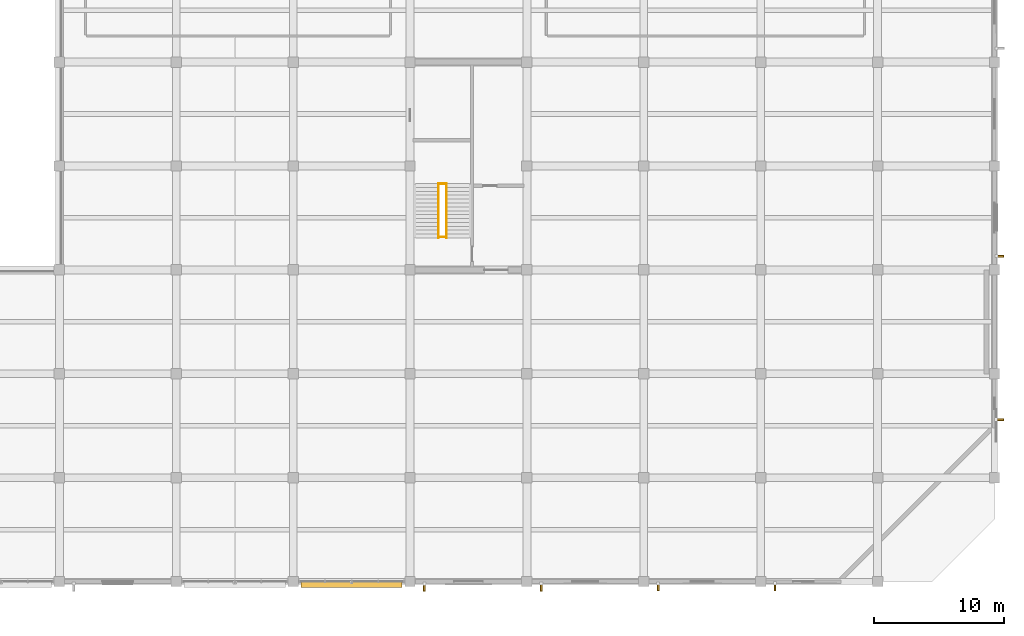
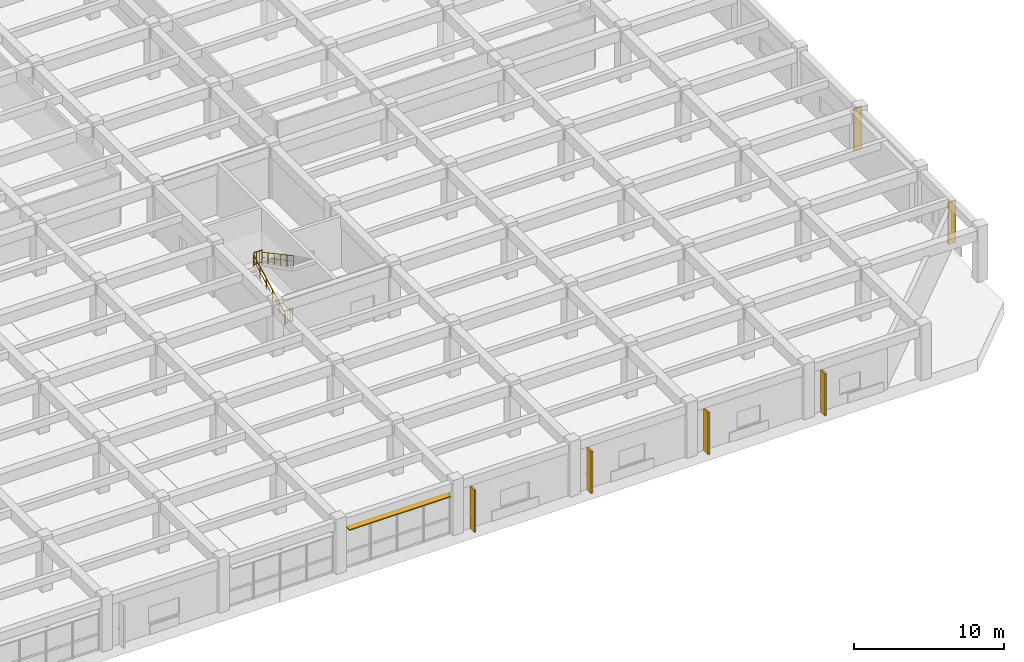
# One storey, part 48 of 50: 7 shading devices, 4 railings.
"""IFC4 building model written with IfcOpenShell, lengths in metres."""

from ifc_helpers import new_model, si_unit, direction, frame, frame_2d, origin, origin_2d, place, context, subcontext, project, spatial, rectangle, circle, extrude, material, layer, layer_set, type_object, element, save


model = new_model("IFC4")

# Units and contexts
model_context = context("Model", 3, precision=1e-05, world=origin(), true_north=direction((0.0, 1.0)))
body_context = subcontext(model_context, "Body", "Model", "MODEL_VIEW")
ifc_project = project(units=[si_unit("LENGTHUNIT", "METRE"), si_unit("AREAUNIT", "SQUARE_METRE"), si_unit("VOLUMEUNIT", "CUBIC_METRE"), si_unit("PLANEANGLEUNIT", "RADIAN"), si_unit("MASSUNIT", "GRAM", prefix="KILO")], contexts=[model_context])

# Site, building, storey
site_placement = place(None, origin())
site = spatial("IfcSite", under=ifc_project, at=site_placement, CompositionType="ELEMENT")
building_placement = place(site_placement, origin())
building = spatial("IfcBuilding", under=site, at=building_placement, Name="Zaverband Oceanarium and Marine Research Institute", CompositionType="ELEMENT")
storey_placement = place(building_placement, frame((0.0, 0.0, 4.5)))
storey = spatial("IfcBuildingStorey", under=building, at=storey_placement, Name="L01", CompositionType="ELEMENT", Elevation=4.5)

# Railings
ifc_material_1 = material(Name="Steel S355", Category="steel")
ifc_layer_1 = layer(ifc_material_1, 0.06005859375, Name="Steel S355")
ifc_layer_set_1 = layer_set([ifc_layer_1], Name="Steel S355")
railing_type_1 = type_object("IfcRailingType", Name="GRD-1100", PredefinedType="BALUSTRADE", material=ifc_layer_set_1)
for number, where, name in (
    (1, (137.18994140625, 30.6298828125, 2.25), "1100 mm steel post-and-baluster safety guard GRD-1100"),
    (2, (137.18994140625, 26.530029296875, 0.0), "1100 mm steel post-and-baluster safety guard GRD-1100"),
):
    element("IfcRailing", number, at=place(storey_placement, frame(where)), inside=storey, type_object=railing_type_1, Name=name, PredefinedType="BALUSTRADE", context=body_context, shape_type="SweptSolid", body=[
        extrude(circle(Radius=0.02392578125, at=origin_2d()), frame((0.0, 0.0, 1.076171875), z_axis=(1.0, 0.0, 0.0), x_axis=(0.0, 1.0, 0.0)), (0.0, 0.0, 1.0), 0.6201171875),
        extrude(circle(Radius=0.009033203125, at=origin_2d()), frame((0.0, 0.0, 0.10009765625), z_axis=(1.0, 0.0, 0.0), x_axis=(0.0, 1.0, 0.0)), (0.0, 0.0, 1.0), 0.6201171875),
        extrude(circle(Radius=0.009033203125, at=origin_2d()), frame((0.206787109375, 0.0, 0.10009765625)), (0.0, 0.0, 1.0), 0.951904296875),
        extrude(circle(Radius=0.009033203125, at=origin_2d()), frame((0.413330078125, 0.0, 0.10009765625)), (0.0, 0.0, 1.0), 0.951904296875),
        extrude(circle(Radius=0.02099609375, at=origin_2d()), origin(), (0.0, 0.0, 1.0), 1.052001953125),
        extrude(circle(Radius=0.02099609375, at=origin_2d()), frame((0.6201171875, 0.0, 0.0)), (0.0, 0.0, 1.0), 1.052001953125),
    ])
ifc_layer_2 = layer(ifc_material_1, 0.050048828125, Name="Steel S355")
ifc_layer_set_2 = layer_set([ifc_layer_2], Name="Steel S355")
railing_type_2 = type_object("IfcRailingType", Name="HR-920", PredefinedType="HANDRAIL", material=ifc_layer_set_2)
railing_1_placement = place(storey_placement, frame((137.18994140625, 26.449951171875, 0.0)))
element("IfcRailing", 3, at=railing_1_placement, inside=storey, type_object=railing_type_2, Name="920 mm continuous tubular stair and ramp handrail HR-920", PredefinedType="HANDRAIL", context=body_context, shape_type="SweptSolid", body=[
    extrude(circle(Radius=0.02392578125, at=origin_2d()), frame((0.0, 0.0, 0.89599609375), z_axis=(0.0, 0.881477684796, 0.472225678258), x_axis=(-1.0, 0.0, 0.0)), (0.0, 0.0, 1.0), 4.7646484375),
    extrude(circle(Radius=0.009033203125, at=origin_2d()), frame((0.0, 0.0, 0.4599609375), z_axis=(0.0, 0.881477684796, 0.472225678258), x_axis=(-1.0, 0.0, 0.0)), (0.0, 0.0, 1.0), 4.7646484375),
    extrude(circle(Radius=0.02099609375, at=origin_2d()), origin(), (0.0, 0.0, 1.0), 0.871826171875),
    extrude(circle(Radius=0.02099609375, at=origin_2d()), frame((0.0, 0.840087890625, 0.449951171875)), (0.0, 0.0, 1.0), 0.871826171875),
    extrude(circle(Radius=0.02099609375, at=origin_2d()), frame((0.0, 1.679931640625, 0.89990234375)), (0.0, 0.0, 1.0), 0.871826171875),
    extrude(circle(Radius=0.02099609375, at=origin_2d()), frame((0.0, 2.52001953125, 1.35009765625)), (0.0, 0.0, 1.0), 0.871826171875),
    extrude(circle(Radius=0.02099609375, at=origin_2d()), frame((0.0, 3.35986328125, 1.800048828125)), (0.0, 0.0, 1.0), 0.871826171875),
    extrude(circle(Radius=0.02099609375, at=origin_2d()), frame((0.0, 4.199951171875, 2.25)), (0.0, 0.0, 1.0), 0.871826171875),
])
railing_2_placement = place(storey_placement, frame((137.81005859375, 30.64990234375, 2.25)))
element("IfcRailing", 4, at=railing_2_placement, inside=storey, type_object=railing_type_2, Name="920 mm continuous tubular stair and ramp handrail HR-920", PredefinedType="HANDRAIL", context=body_context, shape_type="SweptSolid", body=[
    extrude(circle(Radius=0.02392578125, at=origin_2d()), frame((0.0, 0.0, 0.89599609375), z_axis=(0.0, -0.881477684796, 0.472225678258), x_axis=(1.0, 0.0, 0.0)), (0.0, 0.0, 1.0), 4.7646484375),
    extrude(circle(Radius=0.009033203125, at=origin_2d()), frame((0.0, 0.0, 0.4599609375), z_axis=(0.0, -0.881477684796, 0.472225678258), x_axis=(1.0, 0.0, 0.0)), (0.0, 0.0, 1.0), 4.7646484375),
    extrude(circle(Radius=0.02099609375, at=origin_2d()), origin(), (0.0, 0.0, 1.0), 0.871826171875),
    extrude(circle(Radius=0.02099609375, at=origin_2d()), frame((0.0, -0.840087890625, 0.449951171875)), (0.0, 0.0, 1.0), 0.871826171875),
    extrude(circle(Radius=0.02099609375, at=origin_2d()), frame((0.0, -1.679931640625, 0.89990234375)), (0.0, 0.0, 1.0), 0.871826171875),
    extrude(circle(Radius=0.02099609375, at=origin_2d()), frame((0.0, -2.52001953125, 1.35009765625)), (0.0, 0.0, 1.0), 0.871826171875),
    extrude(circle(Radius=0.02099609375, at=origin_2d()), frame((0.0, -3.35986328125, 1.800048828125)), (0.0, 0.0, 1.0), 0.871826171875),
    extrude(circle(Radius=0.02099609375, at=origin_2d()), frame((0.0, -4.199951171875, 2.25)), (0.0, 0.0, 1.0), 0.871826171875),
])

# Shading devices
ifc_material_2 = material(Name="Concrete C40/50 precast brise-soleil", Category="concrete")
ifc_layer_3 = layer(ifc_material_2, 0.139892578125, Name="Concrete C40/50 precast brise-soleil")
ifc_layer_set_3 = layer_set([ifc_layer_3], Name="Concrete C40/50 precast brise-soleil")
shading_device_type_1 = type_object("IfcShadingDeviceType", Name="SHD-FIN-600", PredefinedType="JALOUSIE", material=ifc_layer_set_3)
for number, where, z_axis, x_axis, name in (
    (5, (136.10498046875, -0.14990234375, 0.0), (0.0, 0.0, 1.0), (0.0, -1.0, 0.0), "600 mm vertical precast brise-soleil fin SHD-FIN-600"),
    (6, (145.10498046875, -0.135009765625, 0.0), (0.0, 0.0, 1.0), (0.0, -1.0, 0.0), "600 mm vertical precast brise-soleil fin SHD-FIN-600"),
    (7, (154.10498046875, -0.125, 0.0), (0.0, 0.0, 1.0), (0.0, -1.0, 0.0), "600 mm vertical precast brise-soleil fin SHD-FIN-600"),
):
    element("IfcShadingDevice", number, at=place(storey_placement, frame(where, z_axis=z_axis, x_axis=x_axis)), inside=storey, type_object=shading_device_type_1, Name=name, PredefinedType="JALOUSIE", context=body_context, shape_type="SweptSolid", body=[
        extrude(rectangle(XDim=0.60009765625, YDim=0.139892578125, at=frame_2d((0.300048828125, 0.0))), origin(), (0.0, 0.0, 1.0), 3.409912109375),
    ])
for number, where, z_axis, x_axis, name in (
    (8, (163.10498046875, -0.112548828125, 0.0), (0.0, 0.0, 1.0), (0.0, -1.0, 0.0), "600 mm vertical precast brise-soleil fin SHD-FIN-600"),
    (9, (180.112548828125, 12.469970703125, 0.0), (0.0, 0.0, 1.0), (1.0, 0.0, 0.0), "600 mm vertical precast brise-soleil fin SHD-FIN-600"),
):
    element("IfcShadingDevice", number, at=place(storey_placement, frame(where, z_axis=z_axis, x_axis=x_axis)), inside=storey, type_object=shading_device_type_1, Name=name, PredefinedType="JALOUSIE", context=body_context, shape_type="SweptSolid", body=[
        extrude(rectangle(XDim=0.599853515625, YDim=0.139892578125, at=frame_2d((0.2998046875, 0.0))), origin(), (0.0, 0.0, 1.0), 3.409912109375),
    ])
shading_device_1_placement = place(storey_placement, frame((180.125, 25.054931640625, 0.0), z_axis=(0.0, 0.0, 1.0), x_axis=(1.0, 0.0, 0.0)))
element("IfcShadingDevice", 10, at=shading_device_1_placement, inside=storey, type_object=shading_device_type_1, Name="600 mm vertical precast brise-soleil fin SHD-FIN-600", PredefinedType="JALOUSIE", context=body_context, shape_type="SweptSolid", body=[
    extrude(rectangle(XDim=0.60009765625, YDim=0.139892578125, at=frame_2d((0.300048828125, 0.0))), origin(), (0.0, 0.0, 1.0), 3.409912109375),
])
ifc_material_3 = material(Name="Anodized bronze marine-grade aluminium", Category="aluminium")
ifc_layer_4 = layer(ifc_material_3, 0.080078125, Name="Anodized bronze marine-grade aluminium")
ifc_layer_set_4 = layer_set([ifc_layer_4], Name="Anodized bronze marine-grade aluminium")
shading_device_type_2 = type_object("IfcShadingDeviceType", Name="SHD-LVR-450", PredefinedType="USERDEFINED", material=ifc_layer_set_4)
shading_device_2_placement = place(storey_placement, frame((126.60498046875, -0.239990234375, 3.280029296875), z_axis=(0.0, 0.0, 1.0), x_axis=(1.0, 0.0, 0.0)))
element("IfcShadingDevice", 11, at=shading_device_2_placement, inside=storey, type_object=shading_device_type_2, Name="450 mm horizontal solar shading louvre SHD-LVR-450", ObjectType="LOUVRE", PredefinedType="USERDEFINED", context=body_context, shape_type="SweptSolid", body=[
    extrude(rectangle(XDim=7.7900390625, YDim=0.449951171875, at=frame_2d((3.89501953125, 0.0))), origin(), (0.0, 0.0, 1.0), 0.080078125),
])

save(model, "model.ifc")
